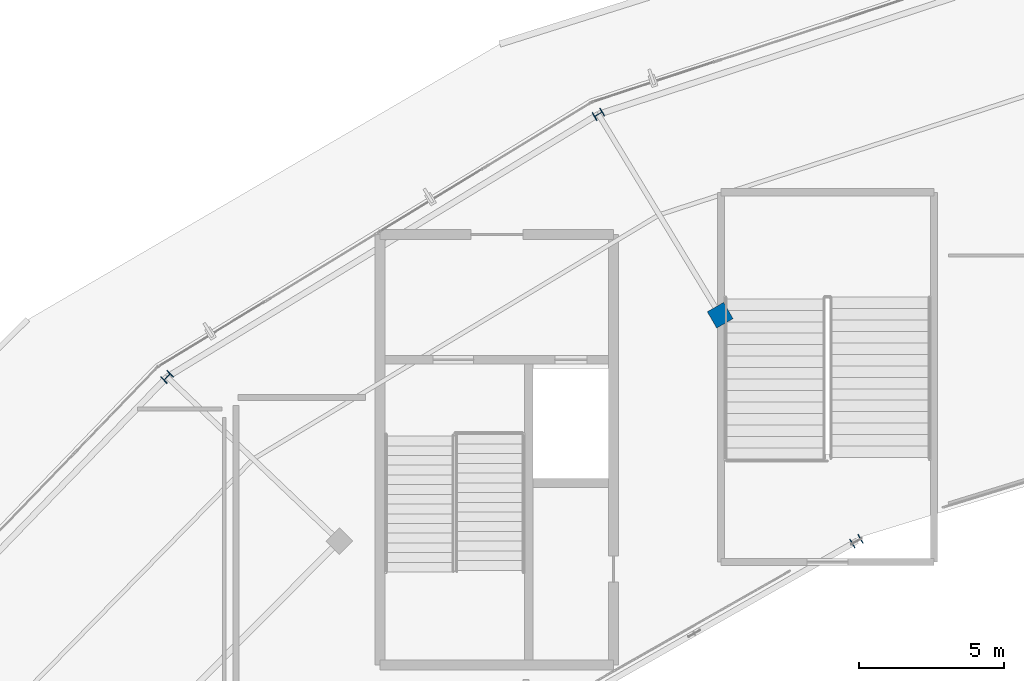
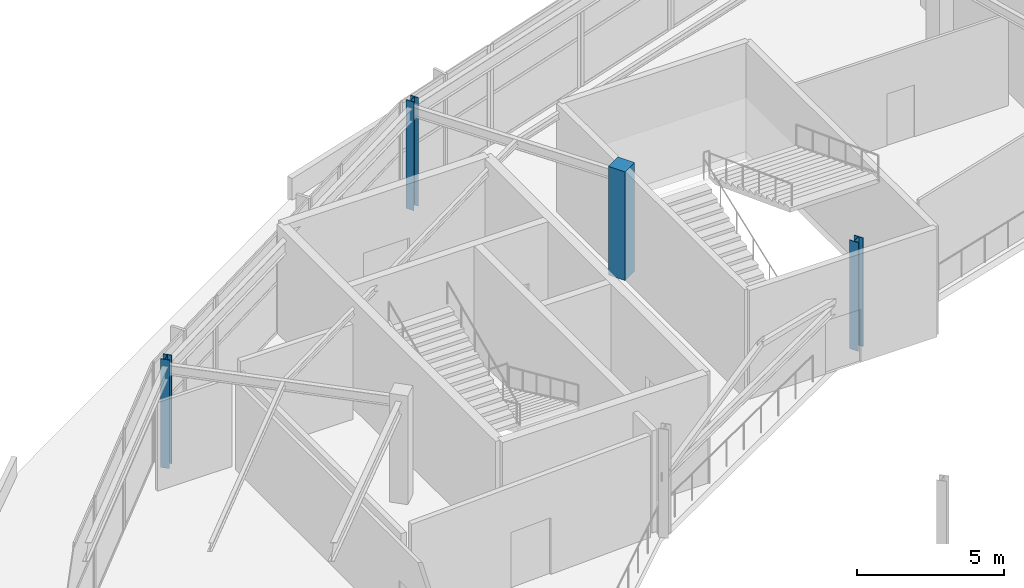
# One storey, part 6 of 126: 4 columns.
"""IFC4 building model written with IfcOpenShell, lengths in metres."""

import ifcopenshell
import ifcopenshell.guid

model = None  # the IFC model being written
_history = None  # IfcOwnerHistory: only IFC2X3 demands one
_inside = {}  # id of a spatial element -> (the spatial element, [elements in it])
_under = {}  # id of a project, library or spatial element -> (it, [spatial elements below it])
_declared = {}  # id of a project -> (the project, [libraries it declares])
_typed = {}  # id of a type object -> (the type object, [elements of that type])
_made_of = {}  # id of a material, layer set ... -> (it, [elements and type objects made of it])


def new_model(schema):
    """Start an empty IFC model of exactly this schema.

    Asked for "IFC4X3", IfcOpenShell would pick the latest addendum, in which some entities
    have other attributes; the version numbers below select the first issue.
    IFC2X3 requires an IfcOwnerHistory on every rooted entity: one is made here for all.
    """
    global model, _history
    if schema == "IFC4X3":
        model = ifcopenshell.file(schema_version=(4, 3, 0, 0))
    else:
        model = ifcopenshell.file(schema=schema)
    _inside.clear()
    _under.clear()
    _declared.clear()
    _typed.clear()
    _made_of.clear()
    _history = None
    if model.schema == "IFC2X3":
        org = make("IfcOrganization", Name="unknown")
        user = make(
            "IfcPersonAndOrganization",
            ThePerson=make("IfcPerson", FamilyName="unknown"),
            TheOrganization=org,
        )
        app = make(
            "IfcApplication",
            ApplicationDeveloper=org,
            Version="unknown",
            ApplicationFullName="unknown",
            ApplicationIdentifier="unknown",
        )
        _history = make(
            "IfcOwnerHistory",
            OwningUser=user,
            OwningApplication=app,
            ChangeAction="ADDED",
            CreationDate=0,
        )
    return model


def make(cls, **values):
    """One entity of the class cls with the attributes given. An attribute that is None is left unset."""
    return model.create_entity(
        cls, **{name: value for name, value in values.items() if value is not None}
    )


def rooted(cls, **values):
    """An entity with a GlobalId (a new one), such as an element, a storey or a relation."""
    return make(cls, GlobalId=ifcopenshell.guid.new(), OwnerHistory=_history, **values)


def si_unit(unit_type, name, prefix=None):
    """IfcSIUnit, for example si_unit("LENGTHUNIT", "METRE", prefix="MILLI")."""
    return make("IfcSIUnit", UnitType=unit_type, Prefix=prefix, Name=name)


def assignment(units):
    """IfcUnitAssignment: the units of a project."""
    return None if units is None else make("IfcUnitAssignment", Units=units)


def point(xyz):
    """IfcCartesianPoint."""
    return None if xyz is None else make("IfcCartesianPoint", Coordinates=xyz)


def direction(xyz):
    """IfcDirection."""
    return None if xyz is None else make("IfcDirection", DirectionRatios=xyz)


def frame(location, z_axis=None, x_axis=None):
    """IfcAxis2Placement3D, a coordinate frame: its origin and axes. An axis left out is left unset."""
    return make(
        "IfcAxis2Placement3D",
        Location=point(location),
        Axis=direction(z_axis),
        RefDirection=direction(x_axis),
    )


def frame_2d(location, x_axis=None):
    """IfcAxis2Placement2D, a coordinate frame in the plane: its origin and x axis."""
    return make(
        "IfcAxis2Placement2D", Location=point(location), RefDirection=direction(x_axis)
    )


def origin():
    """The frame at (0, 0, 0) with its axes left unset."""
    return frame((0.0, 0.0, 0.0))


def origin_2d():
    """The frame at (0, 0) in the plane with its x axis left unset."""
    return frame_2d((0.0, 0.0))


def place(relative_to, where):
    """IfcLocalPlacement: puts the frame where relative to a parent placement (None: the world)."""
    return make(
        "IfcLocalPlacement", PlacementRelTo=relative_to, RelativePlacement=where
    )


def context(
    kind, dimensions, precision=None, world=None, true_north=None, identifier=None
):
    """IfcGeometricRepresentationContext, for example the 3D "Model" context."""
    return make(
        "IfcGeometricRepresentationContext",
        ContextIdentifier=identifier,
        ContextType=kind,
        CoordinateSpaceDimension=dimensions,
        Precision=precision,
        WorldCoordinateSystem=world,
        TrueNorth=true_north,
    )


def subcontext(parent, identifier, kind, view, scale=None):
    """IfcGeometricRepresentationSubContext, for example "Body" below "Model"."""
    return make(
        "IfcGeometricRepresentationSubContext",
        ContextIdentifier=identifier,
        ContextType=kind,
        ParentContext=parent,
        TargetScale=scale,
        TargetView=view,
    )


def project(units=None, contexts=None):
    """IfcProject with its units and contexts."""
    return rooted(
        "IfcProject",
        Name="project",
        RepresentationContexts=contexts,
        UnitsInContext=assignment(units),
    )


def spatial(cls, under=None, at=None, **own):
    """A site, building, storey or space (cls), placed at a placement, below another one or the project."""
    s = rooted(cls, ObjectPlacement=at, **own)
    if under is not None:
        _under.setdefault(under.id(), (under, []))[1].append(s)
    return s


def profile(cls, at=None, kind="AREA", **sizes):
    """A parametric profile (cls). Its sizes go by their IFC names, for example OverallWidth=200.0."""
    return make(cls, ProfileType=kind, Position=at, **sizes)


def rectangle(**sizes):
    """IfcRectangleProfileDef."""
    return profile("IfcRectangleProfileDef", **sizes)


def i_section(**sizes):
    """IfcIShapeProfileDef."""
    return profile("IfcIShapeProfileDef", **sizes)


def extrude(swept, where, along, depth):
    """IfcExtrudedAreaSolid: the profile swept, set in the frame where, extruded along a direction by depth."""
    return make(
        "IfcExtrudedAreaSolid",
        SweptArea=swept,
        Position=where,
        ExtrudedDirection=direction(along),
        Depth=depth,
    )


def shape(context_of_items, identifier, shape_type, items):
    """IfcShapeRepresentation: the items that make up one representation, for example the "Body"."""
    return make(
        "IfcShapeRepresentation",
        ContextOfItems=context_of_items,
        RepresentationIdentifier=identifier,
        RepresentationType=shape_type,
        Items=items,
    )


def material(Name=None, Category=None):
    """IfcMaterial."""
    return make("IfcMaterial", Name=Name, Category=Category)


def material_profile(
    of_material, cross_section, Name=None, Category=None, Priority=None
):
    """IfcMaterialProfile: a cross section and its material."""
    return make(
        "IfcMaterialProfile",
        Name=Name,
        Material=of_material,
        Profile=cross_section,
        Priority=Priority,
        Category=Category,
    )


def profile_set(profiles, Name=None, composite=None):
    """IfcMaterialProfileSet."""
    return make(
        "IfcMaterialProfileSet",
        Name=Name,
        MaterialProfiles=profiles,
        CompositeProfile=composite,
    )


def made_of(thing, what):
    """Note that an element or type object is made of a material, layer set ...; save() writes the relation."""
    if what is not None:
        _made_of.setdefault(what.id(), (what, []))[1].append(thing)
    return thing


def type_object(cls, material=None, **own):
    """A type object (cls), such as IfcWallType, which elements share."""
    return made_of(rooted(cls, **own), material)


def element(
    cls,
    number,
    at=None,
    inside=None,
    cuts=None,
    type_object=None,
    material=None,
    context=None,
    identifier="Body",
    shape_type=None,
    held_by="IfcProductDefinitionShape",
    body=None,
    shapes=None,
    **own,
):
    """One element of the class cls, such as IfcWall. Its Tag is "e" and its number.

    at: its placement. inside: the storey or other place that contains it. cuts: it is an
    opening in that element (IfcRelVoidsElement). A single representation is given by context,
    identifier, shape_type and body (its items); several are given by shapes. held_by: the class
    of the entity that holds the representations. save() writes the other relations.
    """
    e = rooted(cls, Tag="e%d" % number, ObjectPlacement=at, **own)
    if body is not None:
        shapes = [shape(context, identifier, shape_type, body)]
    if shapes is not None:
        e.Representation = make(held_by, Representations=shapes)
    if inside is not None:
        _inside.setdefault(inside.id(), (inside, []))[1].append(e)
    if cuts is not None:
        rooted(
            "IfcRelVoidsElement", RelatingBuildingElement=cuts, RelatedOpeningElement=e
        )
    if type_object is not None:
        _typed.setdefault(type_object.id(), (type_object, []))[1].append(e)
    return made_of(e, material)


def aggregate(whole, parts):
    """IfcRelAggregates: a whole, such as a stair, and the parts it consists of."""
    return rooted("IfcRelAggregates", RelatingObject=whole, RelatedObjects=parts)


def save(model, path):
    """Write the relations noted so far, then the file.

    IfcRelAggregates (storeys below a building ...), IfcRelContainedInSpatialStructure (elements
    in a storey), IfcRelDefinesByType, IfcRelAssociatesMaterial and IfcRelDeclares: one each for
    every whole, place, type object, material and project.
    """
    for whole, parts in _under.values():
        aggregate(whole, parts)
    for where, things in _inside.values():
        rooted(
            "IfcRelContainedInSpatialStructure",
            RelatedElements=things,
            RelatingStructure=where,
        )
    for kind, things in _typed.values():
        rooted("IfcRelDefinesByType", RelatedObjects=things, RelatingType=kind)
    for what, things in _made_of.values():
        rooted("IfcRelAssociatesMaterial", RelatedObjects=things, RelatingMaterial=what)
    for by, libraries in _declared.values():
        rooted("IfcRelDeclares", RelatingContext=by, RelatedDefinitions=libraries)
    model.write(path)


model = new_model("IFC4")

# Units and contexts
model_context = context("Model", 3, precision=1e-05, world=origin(), true_north=direction((0.0, 1.0)))
body_context = subcontext(model_context, "Body", "Model", "MODEL_VIEW")
ifc_project = project(units=[si_unit("LENGTHUNIT", "METRE"), si_unit("AREAUNIT", "SQUARE_METRE"), si_unit("VOLUMEUNIT", "CUBIC_METRE"), si_unit("PLANEANGLEUNIT", "RADIAN"), si_unit("MASSUNIT", "GRAM", prefix="KILO")], contexts=[model_context])

# Site, building, storey
site_placement = place(None, origin())
site = spatial("IfcSite", under=ifc_project, at=site_placement, CompositionType="ELEMENT")
building_placement = place(site_placement, origin())
building = spatial("IfcBuilding", under=site, at=building_placement, Name="Kalgoora Escarpment Arena", CompositionType="ELEMENT")
storey_placement = place(building_placement, frame((0.0, 0.0, 18.89990234375)))
storey = spatial("IfcBuildingStorey", under=building, at=storey_placement, Name="L04", CompositionType="ELEMENT", Elevation=18.89990234375)

# Columns
ifc_material_1 = material(Name="Structural steel AS/NZS 3679 (300 MPa)", Category="steel")
ifc_material_profile_1 = material_profile(ifc_material_1, i_section(OverallWidth=0.31103515625, OverallDepth=0.326904296875, WebThickness=0.015625, FlangeThickness=0.02490234375, at=origin_2d()))
ifc_profile_set_1 = profile_set([ifc_material_profile_1], Name="Structural steel AS/NZS 3679 (300 MPa)")
column_type_1 = type_object("IfcColumnType", Name="COL-COL-310UC158", PredefinedType="COLUMN", material=ifc_profile_set_1)
for number, where, z_axis, x_axis, name in (
    (1, (56.5, 113.36328125, 0.0), (0.0, 0.0, 1.0), (-0.5, 0.866025403784, 0.0), "L04 structural column COL-RCONC2-R09"),
    (2, (41.629638671875, 104.30517578125, 0.0), (0.0, 0.0, 1.0), (-0.707106781187, 0.707106781187, 0.0), "L04 structural column COL-RCONC2-R10"),
):
    element("IfcColumn", number, at=place(storey_placement, frame(where, z_axis=z_axis, x_axis=x_axis)), inside=storey, type_object=column_type_1, Name=name, PredefinedType="COLUMN", context=body_context, shape_type="SweptSolid", body=[
        extrude(i_section(OverallWidth=0.31103515625, OverallDepth=0.326904296875, WebThickness=0.015625, FlangeThickness=0.02490234375, at=origin_2d()), origin(), (0.0, 0.0, 1.0), 4.5),
    ])
ifc_material_2 = material(Name="Structural steel Grade 350 (350 MPa)", Category="steel")
ifc_material_profile_2 = material_profile(ifc_material_2, i_section(OverallWidth=0.35009765625, OverallDepth=0.35009765625, WebThickness=0.013916015625, FlangeThickness=0.02392578125, at=origin_2d()))
ifc_profile_set_2 = profile_set([ifc_material_profile_2], Name="Structural steel Grade 350 (350 MPa)")
column_type_2 = type_object("IfcColumnType", Name="COL-COL-350WC197", PredefinedType="COLUMN", material=ifc_profile_set_2)
column_1_placement = place(storey_placement, frame((65.39990234375, 98.64111328125, 0.0), z_axis=(0.0, 0.0, 1.0), x_axis=(-0.5, 0.866025403784, 0.0)))
element("IfcColumn", 3, at=column_1_placement, inside=storey, type_object=column_type_2, Name="L04 structural column COL-RMAIN-R09", PredefinedType="COLUMN", context=body_context, shape_type="SweptSolid", body=[
    extrude(i_section(OverallWidth=0.35009765625, OverallDepth=0.35009765625, WebThickness=0.013916015625, FlangeThickness=0.02392578125, at=origin_2d()), origin(), (0.0, 0.0, 1.0), 4.5),
])
ifc_material_3 = material(Name="Concrete N50 (fc' 50 MPa)", Category="concrete")
ifc_material_profile_3 = material_profile(ifc_material_3, rectangle(XDim=0.64990234375, YDim=0.64990234375, at=origin_2d()))
ifc_profile_set_3 = profile_set([ifc_material_profile_3], Name="Concrete N50 (fc' 50 MPa)")
column_type_3 = type_object("IfcColumnType", Name="COL-COL-RC650x650", PredefinedType="COLUMN", material=ifc_profile_set_3)
column_2_placement = place(storey_placement, frame((60.699951171875, 106.435302734375, 0.0), z_axis=(0.0, 0.0, 1.0), x_axis=(-0.5, 0.866025403784, 0.0)))
element("IfcColumn", 4, at=column_2_placement, inside=storey, type_object=column_type_3, Name="L04 structural column COL-RCONC1-R09", PredefinedType="COLUMN", context=body_context, shape_type="SweptSolid", body=[
    extrude(rectangle(XDim=0.64990234375, YDim=0.64990234375, at=origin_2d()), origin(), (0.0, 0.0, 1.0), 4.5),
])

save(model, "model.ifc")
